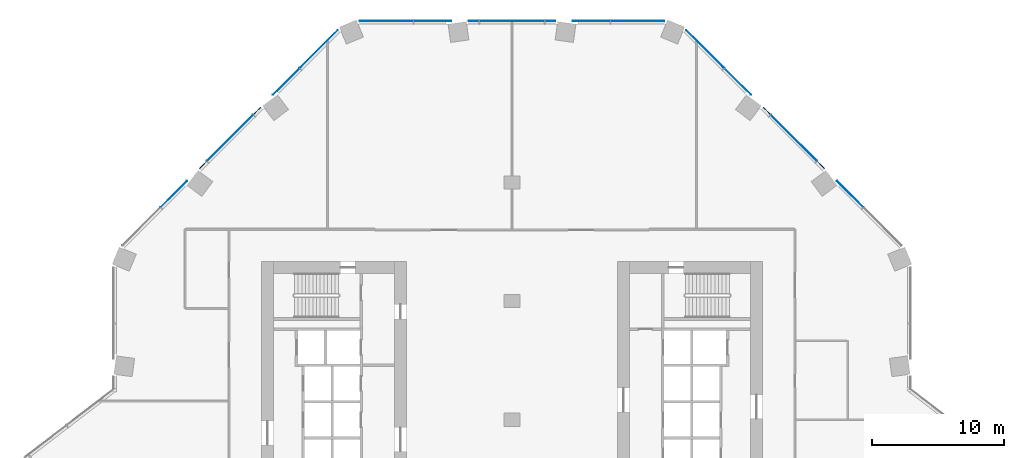
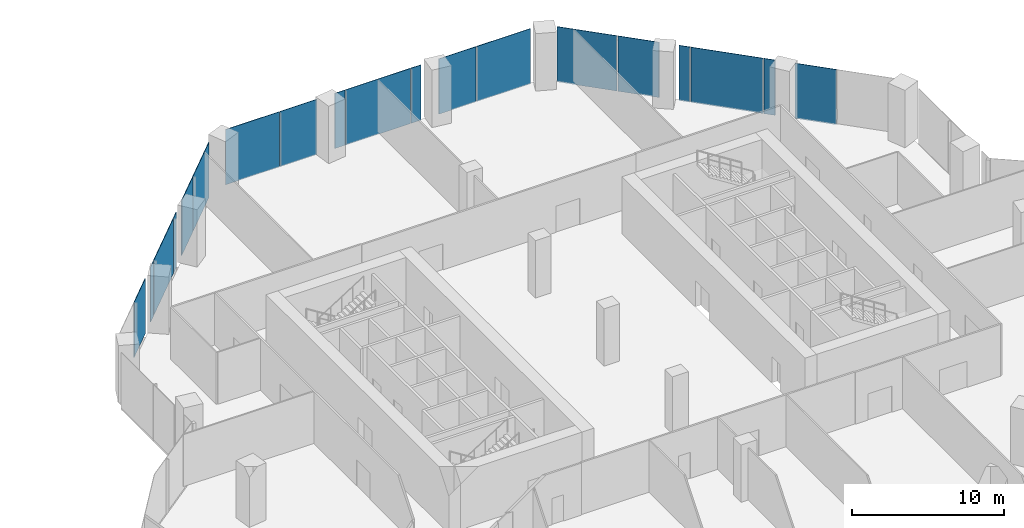
# One storey, part 21 of 30: 19 plates, 3 elements without a shape of their own.
"""IFC4 building model written with IfcOpenShell, lengths in metres."""

from ifc_helpers import new_model, si_unit, direction, frame, origin, origin_2d, place, context, subcontext, project, spatial, rectangle, extrude, material, layer, layer_set, type_object, element, aggregate, save


model = new_model("IFC4")

# Units and contexts
model_context = context("Model", 3, precision=1e-05, world=origin(), true_north=direction((0.0, 1.0)))
body_context = subcontext(model_context, "Body", "Model", "MODEL_VIEW")
ifc_project = project(units=[si_unit("LENGTHUNIT", "METRE"), si_unit("AREAUNIT", "SQUARE_METRE"), si_unit("VOLUMEUNIT", "CUBIC_METRE"), si_unit("PLANEANGLEUNIT", "RADIAN"), si_unit("MASSUNIT", "GRAM", prefix="KILO")], contexts=[model_context])

# Site, building, storey
site_placement = place(None, origin())
site = spatial("IfcSite", under=ifc_project, at=site_placement, CompositionType="ELEMENT")
building_placement = place(site_placement, origin())
building = spatial("IfcBuilding", under=site, at=building_placement, Name="Orlundy Tower", CompositionType="ELEMENT")
storey_placement = place(building_placement, frame((0.0, 0.0, 20.5)))
storey = spatial("IfcBuildingStorey", under=building, at=storey_placement, Name="L03", CompositionType="ELEMENT", Elevation=20.5)

# Curtain wall, plates
ifc_material_1 = material(Name="Aluminium bronze anodised", Category="aluminium")
curtain_wall_type = type_object("IfcCurtainWallType", Name="CW2 wall", PredefinedType="NOTDEFINED", material=ifc_material_1)
curtain_wall_1_placement = place(storey_placement, origin())
curtain_wall_1 = element("IfcCurtainWall", 1, at=curtain_wall_1_placement, inside=storey, type_object=curtain_wall_type, Name="CW2 run 014", PredefinedType="NOTDEFINED")
ifc_material_2 = material(Name="Tinted glass", Category="glass")
ifc_layer = layer(ifc_material_2, 0.0380859375)
ifc_layer_set = layer_set([ifc_layer], Name="CW2 glass panel 38")
plate_type = type_object("IfcPlateType", Name="CW2 glass panel 38", PredefinedType="CURTAIN_PANEL", material=ifc_layer_set)
plate_1_placement = place(storey_placement, frame((-25.63818359375, 17.114501953125, -0.25), z_axis=(0.0, 0.0, 1.0), x_axis=(0.707106781187, 0.707106781187, 0.0)))
plate_1 = element("IfcPlate", 2, at=plate_1_placement, type_object=plate_type, Name="CW2 panel", PredefinedType="CURTAIN_PANEL", context=body_context, shape_type="SweptSolid", body=[
    extrude(rectangle(XDim=2.807861328125, YDim=0.0380859375, at=origin_2d()), origin(), (0.0, 0.0, 1.0), 4.429931640625),
])
plate_2_placement = place(storey_placement, frame((-23.418212890625, 19.33447265625, -0.25), z_axis=(0.0, 0.0, 1.0), x_axis=(0.707106781187, 0.707106781187, 0.0)))
plate_2 = element("IfcPlate", 3, at=plate_2_placement, type_object=plate_type, Name="CW2 panel", PredefinedType="CURTAIN_PANEL", context=body_context, shape_type="SweptSolid", body=[
    extrude(rectangle(XDim=0.754638671875, YDim=0.0380859375, at=origin_2d()), origin(), (0.0, 0.0, 1.0), 4.429931640625),
])
plate_3_placement = place(storey_placement, frame((-21.376220703125, 21.376220703125, -0.25), z_axis=(0.0, 0.0, 1.0), x_axis=(0.707106781187, 0.707106781187, 0.0)))
plate_3 = element("IfcPlate", 4, at=plate_3_placement, type_object=plate_type, Name="CW2 panel", PredefinedType="CURTAIN_PANEL", context=body_context, shape_type="SweptSolid", body=[
    extrude(rectangle(XDim=4.920654296875, YDim=0.0380859375, at=origin_2d()), origin(), (0.0, 0.0, 1.0), 4.429931640625),
])
plate_4_placement = place(storey_placement, frame((-19.33447265625, 23.418212890625, -0.25), z_axis=(0.0, 0.0, 1.0), x_axis=(0.707106781187, 0.707106781187, 0.0)))
plate_4 = element("IfcPlate", 5, at=plate_4_placement, type_object=plate_type, Name="CW2 panel", PredefinedType="CURTAIN_PANEL", context=body_context, shape_type="SweptSolid", body=[
    extrude(rectangle(XDim=0.754638671875, YDim=0.0380859375, at=origin_2d()), origin(), (0.0, 0.0, 1.0), 4.429931640625),
])
plate_5_placement = place(storey_placement, frame((-17.114501953125, 25.63818359375, -0.25), z_axis=(0.0, 0.0, 1.0), x_axis=(0.707106781187, 0.707106781187, 0.0)))
plate_5 = element("IfcPlate", 6, at=plate_5_placement, type_object=plate_type, Name="CW2 panel", PredefinedType="CURTAIN_PANEL", context=body_context, shape_type="SweptSolid", body=[
    extrude(rectangle(XDim=2.807861328125, YDim=0.0380859375, at=origin_2d()), origin(), (0.0, 0.0, 1.0), 4.429931640625),
])
plate_6_placement = place(storey_placement, frame((-14.648681640625, 28.10400390625, -0.25), z_axis=(0.0, 0.0, 1.0), x_axis=(0.707106781187, 0.707106781187, 0.0)))
plate_6 = element("IfcPlate", 7, at=plate_6_placement, type_object=plate_type, Name="CW2 panel", PredefinedType="CURTAIN_PANEL", context=body_context, shape_type="SweptSolid", body=[
    extrude(rectangle(XDim=4.066650390625, YDim=0.0380859375, at=origin_2d()), origin(), (0.0, 0.0, 1.0), 4.429931640625),
])
aggregate(curtain_wall_1, [plate_1, plate_2, plate_3, plate_4, plate_5, plate_6])

curtain_wall_2_placement = place(storey_placement, origin())
curtain_wall_2 = element("IfcCurtainWall", 8, at=curtain_wall_2_placement, inside=storey, type_object=curtain_wall_type, Name="CW2 run 015", PredefinedType="NOTDEFINED")
plate_7_placement = place(storey_placement, frame((-9.514404296875, 30.23095703125, -0.25), z_axis=(0.0, 0.0, 1.0), x_axis=(1.0, 0.0, 0.0)))
plate_7 = element("IfcPlate", 9, at=plate_7_placement, type_object=plate_type, Name="CW2 panel", PredefinedType="CURTAIN_PANEL", context=body_context, shape_type="SweptSolid", body=[
    extrude(rectangle(XDim=4.0673828125, YDim=0.0380859375, at=origin_2d()), origin(), (0.0, 0.0, 1.0), 4.429931640625),
])
plate_8_placement = place(storey_placement, frame((-6.025634765625, 30.23095703125, -0.25), z_axis=(0.0, 0.0, 1.0), x_axis=(1.0, 0.0, 0.0)))
plate_8 = element("IfcPlate", 10, at=plate_8_placement, type_object=plate_type, Name="CW2 panel", PredefinedType="CURTAIN_PANEL", context=body_context, shape_type="SweptSolid", body=[
    extrude(rectangle(XDim=2.81005859375, YDim=0.0380859375, at=origin_2d()), origin(), (0.0, 0.0, 1.0), 4.429931640625),
])
plate_9_placement = place(storey_placement, frame((-2.8876953125, 30.23095703125, -0.25), z_axis=(0.0, 0.0, 1.0), x_axis=(1.0, 0.0, 0.0)))
plate_9 = element("IfcPlate", 11, at=plate_9_placement, type_object=plate_type, Name="CW2 panel", PredefinedType="CURTAIN_PANEL", context=body_context, shape_type="SweptSolid", body=[
    extrude(rectangle(XDim=0.7548828125, YDim=0.0380859375, at=origin_2d()), origin(), (0.0, 0.0, 1.0), 4.429931640625),
])
plate_10_placement = place(storey_placement, frame((0.0, 30.23095703125, -0.25), z_axis=(0.0, 0.0, 1.0), x_axis=(1.0, 0.0, 0.0)))
plate_10 = element("IfcPlate", 12, at=plate_10_placement, type_object=plate_type, Name="CW2 panel", PredefinedType="CURTAIN_PANEL", context=body_context, shape_type="SweptSolid", body=[
    extrude(rectangle(XDim=4.92041015625, YDim=0.0380859375, at=origin_2d()), origin(), (0.0, 0.0, 1.0), 4.429931640625),
])
plate_11_placement = place(storey_placement, frame((2.8876953125, 30.23095703125, -0.25), z_axis=(0.0, 0.0, 1.0), x_axis=(1.0, 0.0, 0.0)))
plate_11 = element("IfcPlate", 13, at=plate_11_placement, type_object=plate_type, Name="CW2 panel", PredefinedType="CURTAIN_PANEL", context=body_context, shape_type="SweptSolid", body=[
    extrude(rectangle(XDim=0.7548828125, YDim=0.0380859375, at=origin_2d()), origin(), (0.0, 0.0, 1.0), 4.429931640625),
])
plate_12_placement = place(storey_placement, frame((6.025634765625, 30.23095703125, -0.25), z_axis=(0.0, 0.0, 1.0), x_axis=(1.0, 0.0, 0.0)))
plate_12 = element("IfcPlate", 14, at=plate_12_placement, type_object=plate_type, Name="CW2 panel", PredefinedType="CURTAIN_PANEL", context=body_context, shape_type="SweptSolid", body=[
    extrude(rectangle(XDim=2.81005859375, YDim=0.0380859375, at=origin_2d()), origin(), (0.0, 0.0, 1.0), 4.429931640625),
])
plate_13_placement = place(storey_placement, frame((9.514404296875, 30.23095703125, -0.25), z_axis=(0.0, 0.0, 1.0), x_axis=(1.0, 0.0, 0.0)))
plate_13 = element("IfcPlate", 15, at=plate_13_placement, type_object=plate_type, Name="CW2 panel", PredefinedType="CURTAIN_PANEL", context=body_context, shape_type="SweptSolid", body=[
    extrude(rectangle(XDim=4.0673828125, YDim=0.0380859375, at=origin_2d()), origin(), (0.0, 0.0, 1.0), 4.429931640625),
])
aggregate(curtain_wall_2, [plate_7, plate_8, plate_9, plate_10, plate_11, plate_12, plate_13])

curtain_wall_3_placement = place(storey_placement, origin())
curtain_wall_3 = element("IfcCurtainWall", 16, at=curtain_wall_3_placement, inside=storey, type_object=curtain_wall_type, Name="CW2 run 016", PredefinedType="NOTDEFINED")
plate_14_placement = place(storey_placement, frame((14.648681640625, 28.10400390625, -0.25), z_axis=(0.0, 0.0, 1.0), x_axis=(0.707106781187, -0.707106781187, 0.0)))
plate_14 = element("IfcPlate", 17, at=plate_14_placement, type_object=plate_type, Name="CW2 panel", PredefinedType="CURTAIN_PANEL", context=body_context, shape_type="SweptSolid", body=[
    extrude(rectangle(XDim=4.066650390625, YDim=0.0380859375, at=origin_2d()), origin(), (0.0, 0.0, 1.0), 4.429931640625),
])
plate_15_placement = place(storey_placement, frame((17.114501953125, 25.63818359375, -0.25), z_axis=(0.0, 0.0, 1.0), x_axis=(0.707106781187, -0.707106781187, 0.0)))
plate_15 = element("IfcPlate", 18, at=plate_15_placement, type_object=plate_type, Name="CW2 panel", PredefinedType="CURTAIN_PANEL", context=body_context, shape_type="SweptSolid", body=[
    extrude(rectangle(XDim=2.807861328125, YDim=0.0380859375, at=origin_2d()), origin(), (0.0, 0.0, 1.0), 4.429931640625),
])
plate_16_placement = place(storey_placement, frame((19.33447265625, 23.418212890625, -0.25), z_axis=(0.0, 0.0, 1.0), x_axis=(0.707106781187, -0.707106781187, 0.0)))
plate_16 = element("IfcPlate", 19, at=plate_16_placement, type_object=plate_type, Name="CW2 panel", PredefinedType="CURTAIN_PANEL", context=body_context, shape_type="SweptSolid", body=[
    extrude(rectangle(XDim=0.754638671875, YDim=0.0380859375, at=origin_2d()), origin(), (0.0, 0.0, 1.0), 4.429931640625),
])
plate_17_placement = place(storey_placement, frame((21.376220703125, 21.376220703125, -0.25), z_axis=(0.0, 0.0, 1.0), x_axis=(0.707106781187, -0.707106781187, 0.0)))
plate_17 = element("IfcPlate", 20, at=plate_17_placement, type_object=plate_type, Name="CW2 panel", PredefinedType="CURTAIN_PANEL", context=body_context, shape_type="SweptSolid", body=[
    extrude(rectangle(XDim=4.920654296875, YDim=0.0380859375, at=origin_2d()), origin(), (0.0, 0.0, 1.0), 4.429931640625),
])
plate_18_placement = place(storey_placement, frame((23.418212890625, 19.33447265625, -0.25), z_axis=(0.0, 0.0, 1.0), x_axis=(0.707106781187, -0.707106781187, 0.0)))
plate_18 = element("IfcPlate", 21, at=plate_18_placement, type_object=plate_type, Name="CW2 panel", PredefinedType="CURTAIN_PANEL", context=body_context, shape_type="SweptSolid", body=[
    extrude(rectangle(XDim=0.754638671875, YDim=0.0380859375, at=origin_2d()), origin(), (0.0, 0.0, 1.0), 4.429931640625),
])
plate_19_placement = place(storey_placement, frame((25.63818359375, 17.114501953125, -0.25), z_axis=(0.0, 0.0, 1.0), x_axis=(0.707106781187, -0.707106781187, 0.0)))
plate_19 = element("IfcPlate", 22, at=plate_19_placement, type_object=plate_type, Name="CW2 panel", PredefinedType="CURTAIN_PANEL", context=body_context, shape_type="SweptSolid", body=[
    extrude(rectangle(XDim=2.807861328125, YDim=0.0380859375, at=origin_2d()), origin(), (0.0, 0.0, 1.0), 4.429931640625),
])
aggregate(curtain_wall_3, [plate_14, plate_15, plate_16, plate_17, plate_18, plate_19])

save(model, "model.ifc")
